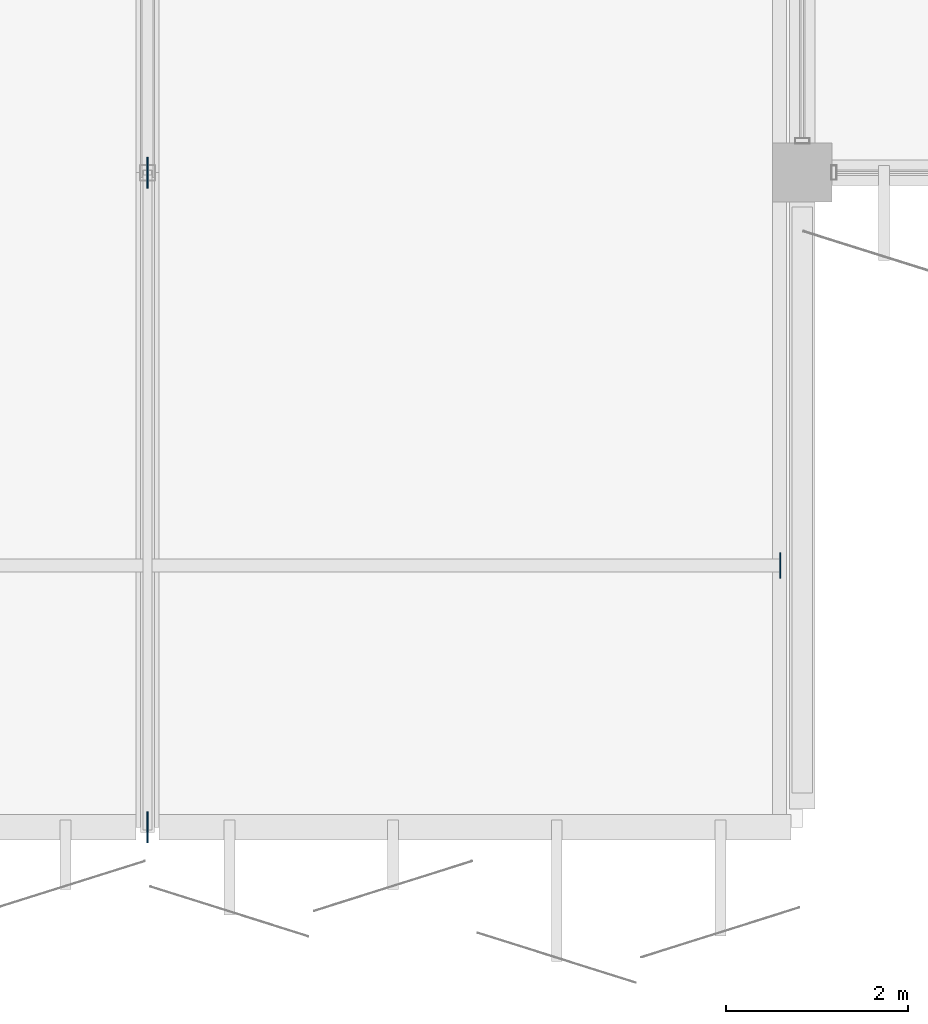
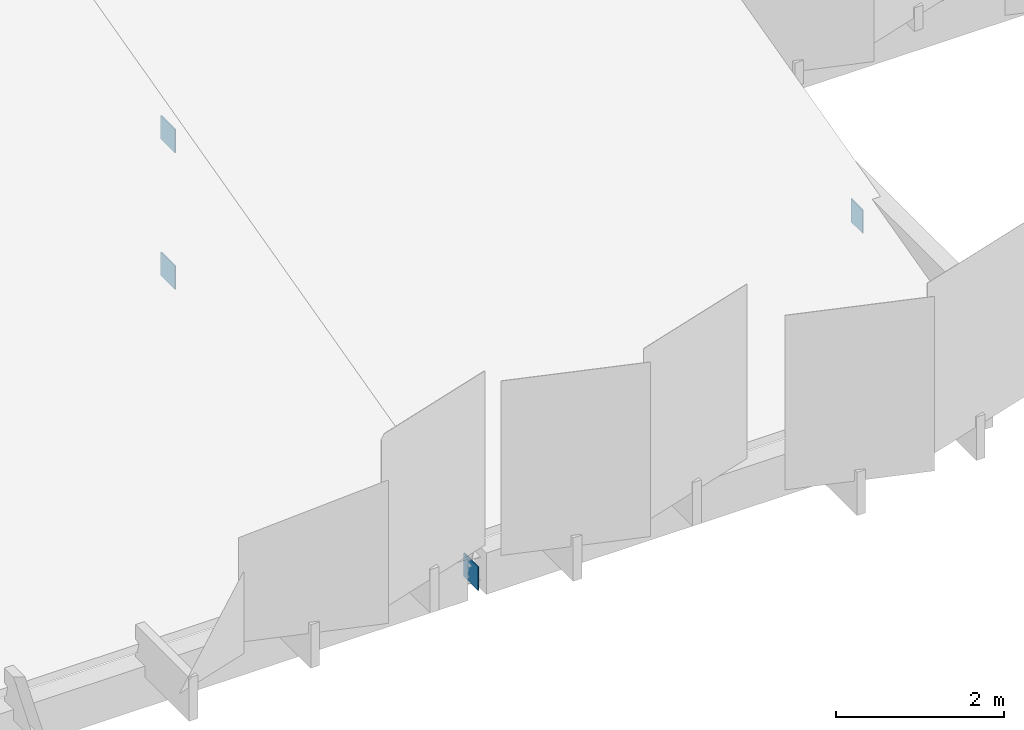
# One storey, part 73 of 108: 4 plates.
"""IFC4 building model written with IfcOpenShell, lengths in metres."""

import ifcopenshell
import ifcopenshell.guid

model = None  # the IFC model being written
_history = None  # IfcOwnerHistory: only IFC2X3 demands one
_inside = {}  # id of a spatial element -> (the spatial element, [elements in it])
_under = {}  # id of a project, library or spatial element -> (it, [spatial elements below it])
_declared = {}  # id of a project -> (the project, [libraries it declares])
_typed = {}  # id of a type object -> (the type object, [elements of that type])
_made_of = {}  # id of a material, layer set ... -> (it, [elements and type objects made of it])


def new_model(schema):
    """Start an empty IFC model of exactly this schema.

    Asked for "IFC4X3", IfcOpenShell would pick the latest addendum, in which some entities
    have other attributes; the version numbers below select the first issue.
    IFC2X3 requires an IfcOwnerHistory on every rooted entity: one is made here for all.
    """
    global model, _history
    if schema == "IFC4X3":
        model = ifcopenshell.file(schema_version=(4, 3, 0, 0))
    else:
        model = ifcopenshell.file(schema=schema)
    _inside.clear()
    _under.clear()
    _declared.clear()
    _typed.clear()
    _made_of.clear()
    _history = None
    if model.schema == "IFC2X3":
        org = make("IfcOrganization", Name="unknown")
        user = make(
            "IfcPersonAndOrganization",
            ThePerson=make("IfcPerson", FamilyName="unknown"),
            TheOrganization=org,
        )
        app = make(
            "IfcApplication",
            ApplicationDeveloper=org,
            Version="unknown",
            ApplicationFullName="unknown",
            ApplicationIdentifier="unknown",
        )
        _history = make(
            "IfcOwnerHistory",
            OwningUser=user,
            OwningApplication=app,
            ChangeAction="ADDED",
            CreationDate=0,
        )
    return model


def make(cls, **values):
    """One entity of the class cls with the attributes given. An attribute that is None is left unset."""
    return model.create_entity(
        cls, **{name: value for name, value in values.items() if value is not None}
    )


def rooted(cls, **values):
    """An entity with a GlobalId (a new one), such as an element, a storey or a relation."""
    return make(cls, GlobalId=ifcopenshell.guid.new(), OwnerHistory=_history, **values)


def si_unit(unit_type, name, prefix=None):
    """IfcSIUnit, for example si_unit("LENGTHUNIT", "METRE", prefix="MILLI")."""
    return make("IfcSIUnit", UnitType=unit_type, Prefix=prefix, Name=name)


def assignment(units):
    """IfcUnitAssignment: the units of a project."""
    return None if units is None else make("IfcUnitAssignment", Units=units)


def point(xyz):
    """IfcCartesianPoint."""
    return None if xyz is None else make("IfcCartesianPoint", Coordinates=xyz)


def direction(xyz):
    """IfcDirection."""
    return None if xyz is None else make("IfcDirection", DirectionRatios=xyz)


def frame(location, z_axis=None, x_axis=None):
    """IfcAxis2Placement3D, a coordinate frame: its origin and axes. An axis left out is left unset."""
    return make(
        "IfcAxis2Placement3D",
        Location=point(location),
        Axis=direction(z_axis),
        RefDirection=direction(x_axis),
    )


def frame_2d(location, x_axis=None):
    """IfcAxis2Placement2D, a coordinate frame in the plane: its origin and x axis."""
    return make(
        "IfcAxis2Placement2D", Location=point(location), RefDirection=direction(x_axis)
    )


def origin():
    """The frame at (0, 0, 0) with its axes left unset."""
    return frame((0.0, 0.0, 0.0))


def origin_2d():
    """The frame at (0, 0) in the plane with its x axis left unset."""
    return frame_2d((0.0, 0.0))


def place(relative_to, where):
    """IfcLocalPlacement: puts the frame where relative to a parent placement (None: the world)."""
    return make(
        "IfcLocalPlacement", PlacementRelTo=relative_to, RelativePlacement=where
    )


def context(
    kind, dimensions, precision=None, world=None, true_north=None, identifier=None
):
    """IfcGeometricRepresentationContext, for example the 3D "Model" context."""
    return make(
        "IfcGeometricRepresentationContext",
        ContextIdentifier=identifier,
        ContextType=kind,
        CoordinateSpaceDimension=dimensions,
        Precision=precision,
        WorldCoordinateSystem=world,
        TrueNorth=true_north,
    )


def subcontext(parent, identifier, kind, view, scale=None):
    """IfcGeometricRepresentationSubContext, for example "Body" below "Model"."""
    return make(
        "IfcGeometricRepresentationSubContext",
        ContextIdentifier=identifier,
        ContextType=kind,
        ParentContext=parent,
        TargetScale=scale,
        TargetView=view,
    )


def project(units=None, contexts=None):
    """IfcProject with its units and contexts."""
    return rooted(
        "IfcProject",
        Name="project",
        RepresentationContexts=contexts,
        UnitsInContext=assignment(units),
    )


def spatial(cls, under=None, at=None, **own):
    """A site, building, storey or space (cls), placed at a placement, below another one or the project."""
    s = rooted(cls, ObjectPlacement=at, **own)
    if under is not None:
        _under.setdefault(under.id(), (under, []))[1].append(s)
    return s


def profile(cls, at=None, kind="AREA", **sizes):
    """A parametric profile (cls). Its sizes go by their IFC names, for example OverallWidth=200.0."""
    return make(cls, ProfileType=kind, Position=at, **sizes)


def rectangle(**sizes):
    """IfcRectangleProfileDef."""
    return profile("IfcRectangleProfileDef", **sizes)


def extrude(swept, where, along, depth):
    """IfcExtrudedAreaSolid: the profile swept, set in the frame where, extruded along a direction by depth."""
    return make(
        "IfcExtrudedAreaSolid",
        SweptArea=swept,
        Position=where,
        ExtrudedDirection=direction(along),
        Depth=depth,
    )


def shape(context_of_items, identifier, shape_type, items):
    """IfcShapeRepresentation: the items that make up one representation, for example the "Body"."""
    return make(
        "IfcShapeRepresentation",
        ContextOfItems=context_of_items,
        RepresentationIdentifier=identifier,
        RepresentationType=shape_type,
        Items=items,
    )


def material(Name=None, Category=None):
    """IfcMaterial."""
    return make("IfcMaterial", Name=Name, Category=Category)


def layer(
    of_material, thickness, ventilated=None, Name=None, Category=None, Priority=None
):
    """IfcMaterialLayer: one layer of a wall or slab, of a material (None: an air gap)."""
    return make(
        "IfcMaterialLayer",
        Material=of_material,
        LayerThickness=thickness,
        IsVentilated=ventilated,
        Name=Name,
        Category=Category,
        Priority=Priority,
    )


def layer_set(layers, Name=None):
    """IfcMaterialLayerSet."""
    return make("IfcMaterialLayerSet", MaterialLayers=layers, LayerSetName=Name)


def made_of(thing, what):
    """Note that an element or type object is made of a material, layer set ...; save() writes the relation."""
    if what is not None:
        _made_of.setdefault(what.id(), (what, []))[1].append(thing)
    return thing


def type_object(cls, material=None, **own):
    """A type object (cls), such as IfcWallType, which elements share."""
    return made_of(rooted(cls, **own), material)


def element(
    cls,
    number,
    at=None,
    inside=None,
    cuts=None,
    type_object=None,
    material=None,
    context=None,
    identifier="Body",
    shape_type=None,
    held_by="IfcProductDefinitionShape",
    body=None,
    shapes=None,
    **own,
):
    """One element of the class cls, such as IfcWall. Its Tag is "e" and its number.

    at: its placement. inside: the storey or other place that contains it. cuts: it is an
    opening in that element (IfcRelVoidsElement). A single representation is given by context,
    identifier, shape_type and body (its items); several are given by shapes. held_by: the class
    of the entity that holds the representations. save() writes the other relations.
    """
    e = rooted(cls, Tag="e%d" % number, ObjectPlacement=at, **own)
    if body is not None:
        shapes = [shape(context, identifier, shape_type, body)]
    if shapes is not None:
        e.Representation = make(held_by, Representations=shapes)
    if inside is not None:
        _inside.setdefault(inside.id(), (inside, []))[1].append(e)
    if cuts is not None:
        rooted(
            "IfcRelVoidsElement", RelatingBuildingElement=cuts, RelatedOpeningElement=e
        )
    if type_object is not None:
        _typed.setdefault(type_object.id(), (type_object, []))[1].append(e)
    return made_of(e, material)


def aggregate(whole, parts):
    """IfcRelAggregates: a whole, such as a stair, and the parts it consists of."""
    return rooted("IfcRelAggregates", RelatingObject=whole, RelatedObjects=parts)


def save(model, path):
    """Write the relations noted so far, then the file.

    IfcRelAggregates (storeys below a building ...), IfcRelContainedInSpatialStructure (elements
    in a storey), IfcRelDefinesByType, IfcRelAssociatesMaterial and IfcRelDeclares: one each for
    every whole, place, type object, material and project.
    """
    for whole, parts in _under.values():
        aggregate(whole, parts)
    for where, things in _inside.values():
        rooted(
            "IfcRelContainedInSpatialStructure",
            RelatedElements=things,
            RelatingStructure=where,
        )
    for kind, things in _typed.values():
        rooted("IfcRelDefinesByType", RelatedObjects=things, RelatingType=kind)
    for what, things in _made_of.values():
        rooted("IfcRelAssociatesMaterial", RelatedObjects=things, RelatingMaterial=what)
    for by, libraries in _declared.values():
        rooted("IfcRelDeclares", RelatingContext=by, RelatedDefinitions=libraries)
    model.write(path)


model = new_model("IFC4")

# Units and contexts
model_context = context("Model", 3, precision=1e-05, world=origin(), true_north=direction((0.0, 1.0)))
body_context = subcontext(model_context, "Body", "Model", "MODEL_VIEW")
ifc_project = project(units=[si_unit("LENGTHUNIT", "METRE"), si_unit("AREAUNIT", "SQUARE_METRE"), si_unit("VOLUMEUNIT", "CUBIC_METRE"), si_unit("PLANEANGLEUNIT", "RADIAN"), si_unit("MASSUNIT", "GRAM", prefix="KILO")], contexts=[model_context])

# Site, building, storey
site_placement = place(None, origin())
site = spatial("IfcSite", under=ifc_project, at=site_placement, CompositionType="ELEMENT")
building_placement = place(site_placement, origin())
building = spatial("IfcBuilding", under=site, at=building_placement, Name="Kangsadwip Square Police Headquarters", CompositionType="ELEMENT")
storey_placement = place(building_placement, frame((0.0, 0.0, 9.449951171875)))
storey = spatial("IfcBuildingStorey", under=building, at=storey_placement, Name="L02", CompositionType="ELEMENT", Elevation=9.449951171875)

# Plates
ifc_material_1 = material(Name="Structural steel IS 2062 E350 (Grade 350, 350 MPa)", Category="steel")
ifc_layer_1 = layer(ifc_material_1, 0.011962890625)
ifc_layer_set_1 = layer_set([ifc_layer_1], Name="Structural steel IS 2062 E350 (Grade 350, 350 MPa)")
plate_type_1 = type_object("IfcPlateType", Name="TrussEndCapPlate12", PredefinedType="USERDEFINED", material=ifc_layer_set_1)
plate_placement = place(storey_placement, frame((93.35595703125, 89.280029296875, 0.259765625), z_axis=(0.0, 0.0, 1.0), x_axis=(0.0, 1.0, 0.0)))
element("IfcPlate", 1, at=plate_placement, inside=storey, type_object=plate_type_1, Name="Truss Node Gusset Plate GP-L02-0056", ObjectType="GUSSET_PLATE", PredefinedType="USERDEFINED", context=body_context, shape_type="SweptSolid", body=[
    extrude(rectangle(XDim=0.280029296875, YDim=0.011962890625, at=origin_2d()), origin(), (0.0, 0.0, 1.0), 0.340087890625),
])
ifc_material_2 = material(Name="Structural steel IS 2062 E350 (Grade 350, 350 MPa)", Category="steel")
ifc_layer_2 = layer(ifc_material_2, 0.01611328125)
ifc_layer_set_2 = layer_set([ifc_layer_2], Name="Structural steel IS 2062 E350 (Grade 350, 350 MPa)")
plate_type_2 = type_object("IfcPlateType", Name="TrussGussetPlate16", PredefinedType="USERDEFINED", material=ifc_layer_set_2)
for number, where, z_axis, x_axis, name in (
    (2, (86.39990234375, 93.60009765625, -0.72021484375), (0.0, 0.0, 1.0), (0.0, 1.0, 0.0), "Truss Node Gusset Plate GP-L02-0036"),
    (3, (86.39990234375, 93.60009765625, 1.259765625), (0.0, 0.0, 1.0), (0.0, 1.0, 0.0), "Truss Node Gusset Plate GP-L02-0037"),
    (4, (86.39990234375, 86.39990234375, -0.72021484375), (0.0, 0.0, 1.0), (0.0, 1.0, 0.0), "Truss Node Gusset Plate GP-L02-0042"),
):
    element("IfcPlate", number, at=place(storey_placement, frame(where, z_axis=z_axis, x_axis=x_axis)), inside=storey, type_object=plate_type_2, Name=name, ObjectType="GUSSET_PLATE", PredefinedType="USERDEFINED", context=body_context, shape_type="SweptSolid", body=[
        extrude(rectangle(XDim=0.340087890625, YDim=0.01611328125, at=origin_2d()), origin(), (0.0, 0.0, 1.0), 0.340087890625),
    ])

save(model, "model.ifc")
